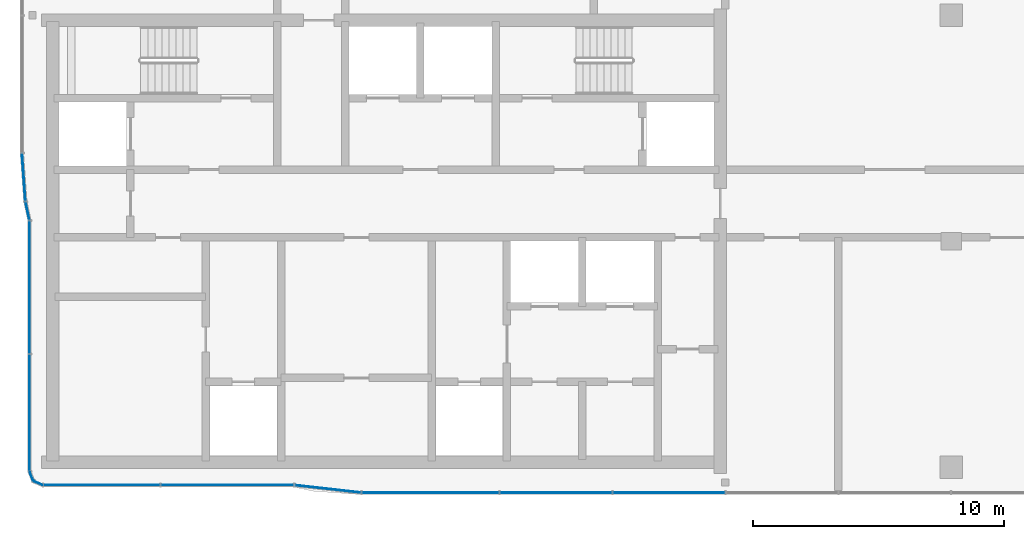
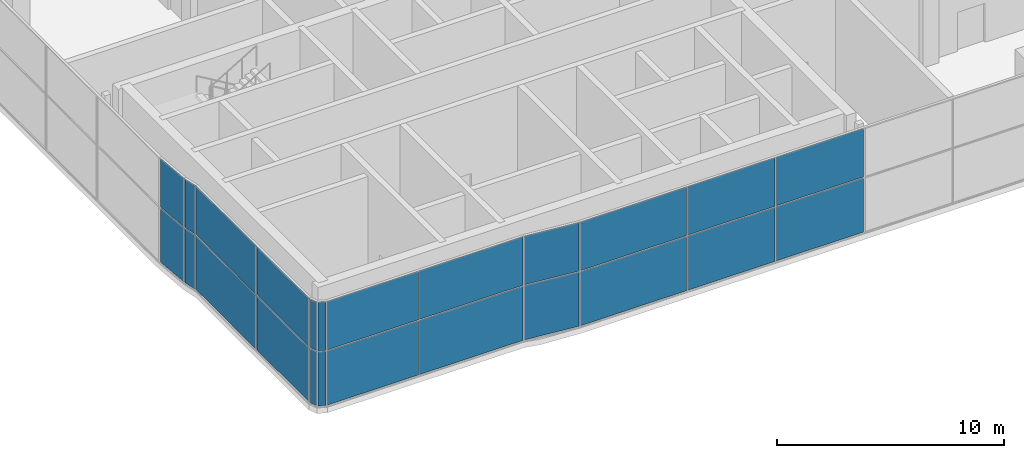
# One storey, part 12 of 21: 24 plates, 6 elements without a shape of their own.
"""IFC4 building model written with IfcOpenShell, lengths in metres."""

from ifc_helpers import new_model, si_unit, direction, frame, origin, origin_2d, place, context, subcontext, project, spatial, rectangle, extrude, material, layer, layer_set, type_object, element, aggregate, save


model = new_model("IFC4")

# Units and contexts
model_context = context("Model", 3, precision=1e-05, world=origin(), true_north=direction((0.0, 1.0)))
body_context = subcontext(model_context, "Body", "Model", "MODEL_VIEW")
ifc_project = project(units=[si_unit("LENGTHUNIT", "METRE"), si_unit("AREAUNIT", "SQUARE_METRE"), si_unit("VOLUMEUNIT", "CUBIC_METRE"), si_unit("PLANEANGLEUNIT", "RADIAN"), si_unit("MASSUNIT", "GRAM", prefix="KILO")], contexts=[model_context])

# Site, building, storey
site_placement = place(None, origin())
site = spatial("IfcSite", under=ifc_project, at=site_placement, CompositionType="ELEMENT")
building_placement = place(site_placement, origin())
building = spatial("IfcBuilding", under=site, at=building_placement, Name="Ogive Portal Towers", CompositionType="ELEMENT")
storey_placement = place(building_placement, frame((0.0, 0.0, 266.89990234375)))
storey = spatial("IfcBuildingStorey", under=building, at=storey_placement, Name="L65", CompositionType="ELEMENT", Elevation=266.89990234375)

# Curtain wall, plates
ifc_material = material(Name="Glass, clear low-iron insulated glazing", Category="glass")
curtain_wall_type = type_object("IfcCurtainWallType", Name="CW OBSERVATION WALL", PredefinedType="NOTDEFINED", material=ifc_material)
curtain_wall_1_placement = place(storey_placement, origin())
curtain_wall_1 = element("IfcCurtainWall", 1, at=curtain_wall_1_placement, inside=storey, type_object=curtain_wall_type, Name="A:L65:f00:cw0", PredefinedType="NOTDEFINED")
ifc_layer = layer(ifc_material, 0.028076171875)
ifc_layer_set = layer_set([ifc_layer], Name="CW PANEL IGU 28")
plate_type = type_object("IfcPlateType", Name="CW PANEL IGU 28", PredefinedType="CURTAIN_PANEL", material=ifc_layer_set)
plate_1_placement = place(storey_placement, frame((30.780029296875, 28.665283203125, 0.06005859375), z_axis=(0.0, 0.0, 1.0), x_axis=(0.0, -1.0, 0.0)))
plate_1 = element("IfcPlate", 2, at=plate_1_placement, type_object=plate_type, Name="panel", PredefinedType="CURTAIN_PANEL", context=body_context, shape_type="SweptSolid", body=[
    extrude(rectangle(XDim=5.2705078125, YDim=0.028076171875, at=origin_2d()), origin(), (0.0, 0.0, 1.0), 2.909912109375),
])
plate_2_placement = place(storey_placement, frame((30.780029296875, 28.665283203125, 3.0302734375), z_axis=(0.0, 0.0, 1.0), x_axis=(0.0, -1.0, 0.0)))
plate_2 = element("IfcPlate", 3, at=plate_2_placement, type_object=plate_type, Name="panel", PredefinedType="CURTAIN_PANEL", context=body_context, shape_type="SweptSolid", body=[
    extrude(rectangle(XDim=5.2705078125, YDim=0.028076171875, at=origin_2d()), origin(), (0.0, 0.0, 1.0), 2.610107421875),
])
plate_3_placement = place(storey_placement, frame((30.780029296875, 23.657958984375, 0.06005859375), z_axis=(0.0, 0.0, 1.0), x_axis=(0.0, -1.0, 0.0)))
plate_3 = element("IfcPlate", 4, at=plate_3_placement, type_object=plate_type, Name="panel", PredefinedType="CURTAIN_PANEL", context=body_context, shape_type="SweptSolid", body=[
    extrude(rectangle(XDim=4.6240234375, YDim=0.028076171875, at=origin_2d()), origin(), (0.0, 0.0, 1.0), 2.909912109375),
])
plate_4_placement = place(storey_placement, frame((30.780029296875, 23.657958984375, 3.0302734375), z_axis=(0.0, 0.0, 1.0), x_axis=(0.0, -1.0, 0.0)))
plate_4 = element("IfcPlate", 5, at=plate_4_placement, type_object=plate_type, Name="panel", PredefinedType="CURTAIN_PANEL", context=body_context, shape_type="SweptSolid", body=[
    extrude(rectangle(XDim=4.6240234375, YDim=0.028076171875, at=origin_2d()), origin(), (0.0, 0.0, 1.0), 2.610107421875),
])
aggregate(curtain_wall_1, [plate_1, plate_2, plate_3, plate_4])

curtain_wall_2_placement = place(storey_placement, origin())
curtain_wall_2 = element("IfcCurtainWall", 6, at=curtain_wall_2_placement, inside=storey, type_object=curtain_wall_type, Name="A:L65:f03:cw0", PredefinedType="NOTDEFINED")
plate_5_placement = place(storey_placement, frame((33.657958984375, 20.780029296875, 0.06005859375), z_axis=(0.0, 0.0, 1.0), x_axis=(1.0, 0.0, 0.0)))
plate_5 = element("IfcPlate", 7, at=plate_5_placement, type_object=plate_type, Name="panel", PredefinedType="CURTAIN_PANEL", context=body_context, shape_type="SweptSolid", body=[
    extrude(rectangle(XDim=4.6240234375, YDim=0.028076171875, at=origin_2d()), origin(), (0.0, 0.0, 1.0), 2.909912109375),
])
plate_6_placement = place(storey_placement, frame((33.657958984375, 20.780029296875, 3.0302734375), z_axis=(0.0, 0.0, 1.0), x_axis=(1.0, 0.0, 0.0)))
plate_6 = element("IfcPlate", 8, at=plate_6_placement, type_object=plate_type, Name="panel", PredefinedType="CURTAIN_PANEL", context=body_context, shape_type="SweptSolid", body=[
    extrude(rectangle(XDim=4.6240234375, YDim=0.028076171875, at=origin_2d()), origin(), (0.0, 0.0, 1.0), 2.610107421875),
])
plate_7_placement = place(storey_placement, frame((38.6630859375, 20.780029296875, 0.06005859375), z_axis=(0.0, 0.0, 1.0), x_axis=(1.0, 0.0, 0.0)))
plate_7 = element("IfcPlate", 9, at=plate_7_placement, type_object=plate_type, Name="panel", PredefinedType="CURTAIN_PANEL", context=body_context, shape_type="SweptSolid", body=[
    extrude(rectangle(XDim=5.266357421875, YDim=0.028076171875, at=origin_2d()), origin(), (0.0, 0.0, 1.0), 2.909912109375),
])
plate_8_placement = place(storey_placement, frame((38.6630859375, 20.780029296875, 3.0302734375), z_axis=(0.0, 0.0, 1.0), x_axis=(1.0, 0.0, 0.0)))
plate_8 = element("IfcPlate", 10, at=plate_8_placement, type_object=plate_type, Name="panel", PredefinedType="CURTAIN_PANEL", context=body_context, shape_type="SweptSolid", body=[
    extrude(rectangle(XDim=5.266357421875, YDim=0.028076171875, at=origin_2d()), origin(), (0.0, 0.0, 1.0), 2.610107421875),
])
aggregate(curtain_wall_2, [plate_5, plate_6, plate_7, plate_8])

curtain_wall_3_placement = place(storey_placement, origin())
curtain_wall_3 = element("IfcCurtainWall", 11, at=curtain_wall_3_placement, inside=storey, type_object=curtain_wall_type, Name="A:L65:f05:cw0", PredefinedType="NOTDEFINED")
plate_9_placement = place(storey_placement, frame((46.752197265625, 20.47998046875, 0.06005859375), z_axis=(0.0, 0.0, 1.0), x_axis=(1.0, 0.0, 0.0)))
plate_9 = element("IfcPlate", 12, at=plate_9_placement, type_object=plate_type, Name="panel", PredefinedType="CURTAIN_PANEL", context=body_context, shape_type="SweptSolid", body=[
    extrude(rectangle(XDim=5.435546875, YDim=0.028076171875, at=origin_2d()), origin(), (0.0, 0.0, 1.0), 2.909912109375),
])
plate_10_placement = place(storey_placement, frame((46.752197265625, 20.47998046875, 3.0302734375), z_axis=(0.0, 0.0, 1.0), x_axis=(1.0, 0.0, 0.0)))
plate_10 = element("IfcPlate", 13, at=plate_10_placement, type_object=plate_type, Name="panel", PredefinedType="CURTAIN_PANEL", context=body_context, shape_type="SweptSolid", body=[
    extrude(rectangle(XDim=5.435546875, YDim=0.028076171875, at=origin_2d()), origin(), (0.0, 0.0, 1.0), 2.610107421875),
])
plate_11_placement = place(storey_placement, frame((51.75, 20.47998046875, 0.06005859375), z_axis=(0.0, 0.0, 1.0), x_axis=(1.0, 0.0, 0.0)))
plate_11 = element("IfcPlate", 14, at=plate_11_placement, type_object=plate_type, Name="panel", PredefinedType="CURTAIN_PANEL", context=body_context, shape_type="SweptSolid", body=[
    extrude(rectangle(XDim=4.43994140625, YDim=0.028076171875, at=origin_2d()), origin(), (0.0, 0.0, 1.0), 2.909912109375),
])
plate_12_placement = place(storey_placement, frame((51.75, 20.47998046875, 3.0302734375), z_axis=(0.0, 0.0, 1.0), x_axis=(1.0, 0.0, 0.0)))
plate_12 = element("IfcPlate", 15, at=plate_12_placement, type_object=plate_type, Name="panel", PredefinedType="CURTAIN_PANEL", context=body_context, shape_type="SweptSolid", body=[
    extrude(rectangle(XDim=4.43994140625, YDim=0.028076171875, at=origin_2d()), origin(), (0.0, 0.0, 1.0), 2.610107421875),
])
plate_13_placement = place(storey_placement, frame((56.25, 20.47998046875, 0.06005859375), z_axis=(0.0, 0.0, 1.0), x_axis=(1.0, 0.0, 0.0)))
plate_13 = element("IfcPlate", 16, at=plate_13_placement, type_object=plate_type, Name="panel", PredefinedType="CURTAIN_PANEL", context=body_context, shape_type="SweptSolid", body=[
    extrude(rectangle(XDim=4.43994140625, YDim=0.028076171875, at=origin_2d()), origin(), (0.0, 0.0, 1.0), 2.909912109375),
])
plate_14_placement = place(storey_placement, frame((56.25, 20.47998046875, 3.0302734375), z_axis=(0.0, 0.0, 1.0), x_axis=(1.0, 0.0, 0.0)))
plate_14 = element("IfcPlate", 17, at=plate_14_placement, type_object=plate_type, Name="panel", PredefinedType="CURTAIN_PANEL", context=body_context, shape_type="SweptSolid", body=[
    extrude(rectangle(XDim=4.43994140625, YDim=0.028076171875, at=origin_2d()), origin(), (0.0, 0.0, 1.0), 2.610107421875),
])
aggregate(curtain_wall_3, [plate_9, plate_10, plate_11, plate_12, plate_13, plate_14])

curtain_wall_4_placement = place(storey_placement, origin())
curtain_wall_4 = element("IfcCurtainWall", 18, at=curtain_wall_4_placement, inside=storey, type_object=curtain_wall_type, Name="A:L65:f01:cwa", PredefinedType="NOTDEFINED")
plate_15_placement = place(storey_placement, frame((30.8583984375, 21.12646484375, 0.06005859375), z_axis=(0.0, 0.0, 1.0), x_axis=(0.382683432365, -0.923879532511, 0.0)))
plate_15 = element("IfcPlate", 19, at=plate_15_placement, type_object=plate_type, Name="panel", PredefinedType="CURTAIN_PANEL", context=body_context, shape_type="SweptSolid", body=[
    extrude(rectangle(XDim=0.35009765625, YDim=0.028076171875, at=origin_2d()), origin(), (0.0, 0.0, 1.0), 2.909912109375),
])
plate_16_placement = place(storey_placement, frame((30.8583984375, 21.12646484375, 3.0302734375), z_axis=(0.0, 0.0, 1.0), x_axis=(0.382683432365, -0.923879532511, 0.0)))
plate_16 = element("IfcPlate", 20, at=plate_16_placement, type_object=plate_type, Name="panel", PredefinedType="CURTAIN_PANEL", context=body_context, shape_type="SweptSolid", body=[
    extrude(rectangle(XDim=0.35009765625, YDim=0.028076171875, at=origin_2d()), origin(), (0.0, 0.0, 1.0), 2.610107421875),
])
plate_17_placement = place(storey_placement, frame((31.12646484375, 20.8583984375, 0.06005859375), z_axis=(0.0, 0.0, 1.0), x_axis=(0.923879532511, -0.382683432365, 0.0)))
plate_17 = element("IfcPlate", 21, at=plate_17_placement, type_object=plate_type, Name="panel", PredefinedType="CURTAIN_PANEL", context=body_context, shape_type="SweptSolid", body=[
    extrude(rectangle(XDim=0.35009765625, YDim=0.028076171875, at=origin_2d()), origin(), (0.0, 0.0, 1.0), 2.909912109375),
])
plate_18_placement = place(storey_placement, frame((31.12646484375, 20.8583984375, 3.0302734375), z_axis=(0.0, 0.0, 1.0), x_axis=(0.923879532511, -0.382683432365, 0.0)))
plate_18 = element("IfcPlate", 22, at=plate_18_placement, type_object=plate_type, Name="panel", PredefinedType="CURTAIN_PANEL", context=body_context, shape_type="SweptSolid", body=[
    extrude(rectangle(XDim=0.35009765625, YDim=0.028076171875, at=origin_2d()), origin(), (0.0, 0.0, 1.0), 2.610107421875),
])
aggregate(curtain_wall_4, [plate_15, plate_16, plate_17, plate_18])

curtain_wall_5_placement = place(storey_placement, origin())
curtain_wall_5 = element("IfcCurtainWall", 23, at=curtain_wall_5_placement, inside=storey, type_object=curtain_wall_type, Name="A:L65:f04:cwa", PredefinedType="NOTDEFINED")
plate_19_placement = place(storey_placement, frame((42.665283203125, 20.6298828125, 0.06005859375), z_axis=(0.0, 0.0, 1.0), x_axis=(0.993784755976, -0.11131872614, 0.0)))
plate_19 = element("IfcPlate", 24, at=plate_19_placement, type_object=plate_type, Name="panel", PredefinedType="CURTAIN_PANEL", context=body_context, shape_type="SweptSolid", body=[
    extrude(rectangle(XDim=2.635009765625, YDim=0.028076171875, at=origin_2d()), origin(), (0.0, 0.0, 1.0), 2.909912109375),
])
plate_20_placement = place(storey_placement, frame((42.665283203125, 20.6298828125, 3.0302734375), z_axis=(0.0, 0.0, 1.0), x_axis=(0.993784755976, -0.11131872614, 0.0)))
plate_20 = element("IfcPlate", 25, at=plate_20_placement, type_object=plate_type, Name="panel", PredefinedType="CURTAIN_PANEL", context=body_context, shape_type="SweptSolid", body=[
    extrude(rectangle(XDim=2.635009765625, YDim=0.028076171875, at=origin_2d()), origin(), (0.0, 0.0, 1.0), 2.610107421875),
])
aggregate(curtain_wall_5, [plate_19, plate_20])

curtain_wall_6_placement = place(storey_placement, origin())
curtain_wall_6 = element("IfcCurtainWall", 26, at=curtain_wall_6_placement, inside=storey, type_object=curtain_wall_type, Name="A:L65:f24:cwa", PredefinedType="NOTDEFINED")
plate_21_placement = place(storey_placement, frame((30.548828125, 33.039306640625, 0.06005859375), z_axis=(0.0, 0.0, 1.0), x_axis=(0.071339183201, -0.99745211461, 0.0)))
plate_21 = element("IfcPlate", 27, at=plate_21_placement, type_object=plate_type, Name="panel", PredefinedType="CURTAIN_PANEL", context=body_context, shape_type="SweptSolid", body=[
    extrude(rectangle(XDim=1.871826171875, YDim=0.028076171875, at=origin_2d()), origin(), (0.0, 0.0, 1.0), 2.909912109375),
])
plate_22_placement = place(storey_placement, frame((30.548828125, 33.039306640625, 3.0302734375), z_axis=(0.0, 0.0, 1.0), x_axis=(0.071339183201, -0.99745211461, 0.0)))
plate_22 = element("IfcPlate", 28, at=plate_22_placement, type_object=plate_type, Name="panel", PredefinedType="CURTAIN_PANEL", context=body_context, shape_type="SweptSolid", body=[
    extrude(rectangle(XDim=1.871826171875, YDim=0.028076171875, at=origin_2d()), origin(), (0.0, 0.0, 1.0), 2.610107421875),
])
plate_23_placement = place(storey_placement, frame((30.698974609375, 31.703125, 0.06005859375), z_axis=(0.0, 0.0, 1.0), x_axis=(0.212565289558, -0.97714686597, 0.0)))
plate_23 = element("IfcPlate", 29, at=plate_23_placement, type_object=plate_type, Name="panel", PredefinedType="CURTAIN_PANEL", context=body_context, shape_type="SweptSolid", body=[
    extrude(rectangle(XDim=0.702880859375, YDim=0.028076171875, at=origin_2d()), origin(), (0.0, 0.0, 1.0), 2.909912109375),
])
plate_24_placement = place(storey_placement, frame((30.698974609375, 31.703125, 3.0302734375), z_axis=(0.0, 0.0, 1.0), x_axis=(0.212565289558, -0.97714686597, 0.0)))
plate_24 = element("IfcPlate", 30, at=plate_24_placement, type_object=plate_type, Name="panel", PredefinedType="CURTAIN_PANEL", context=body_context, shape_type="SweptSolid", body=[
    extrude(rectangle(XDim=0.702880859375, YDim=0.028076171875, at=origin_2d()), origin(), (0.0, 0.0, 1.0), 2.610107421875),
])
aggregate(curtain_wall_6, [plate_21, plate_22, plate_23, plate_24])

save(model, "model.ifc")
